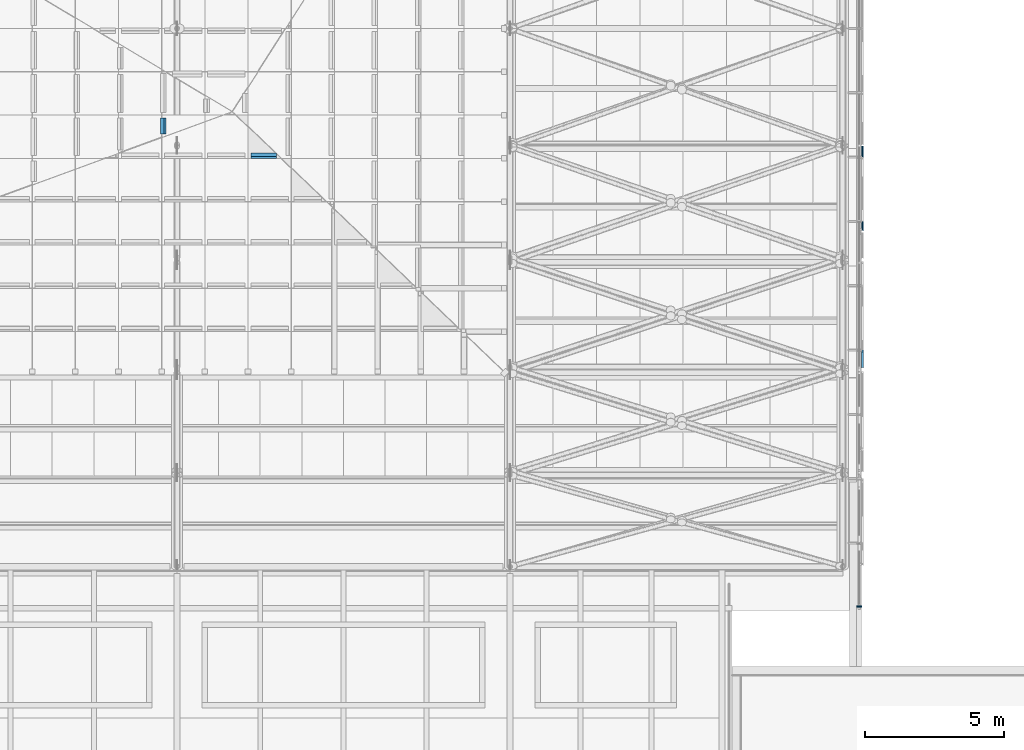
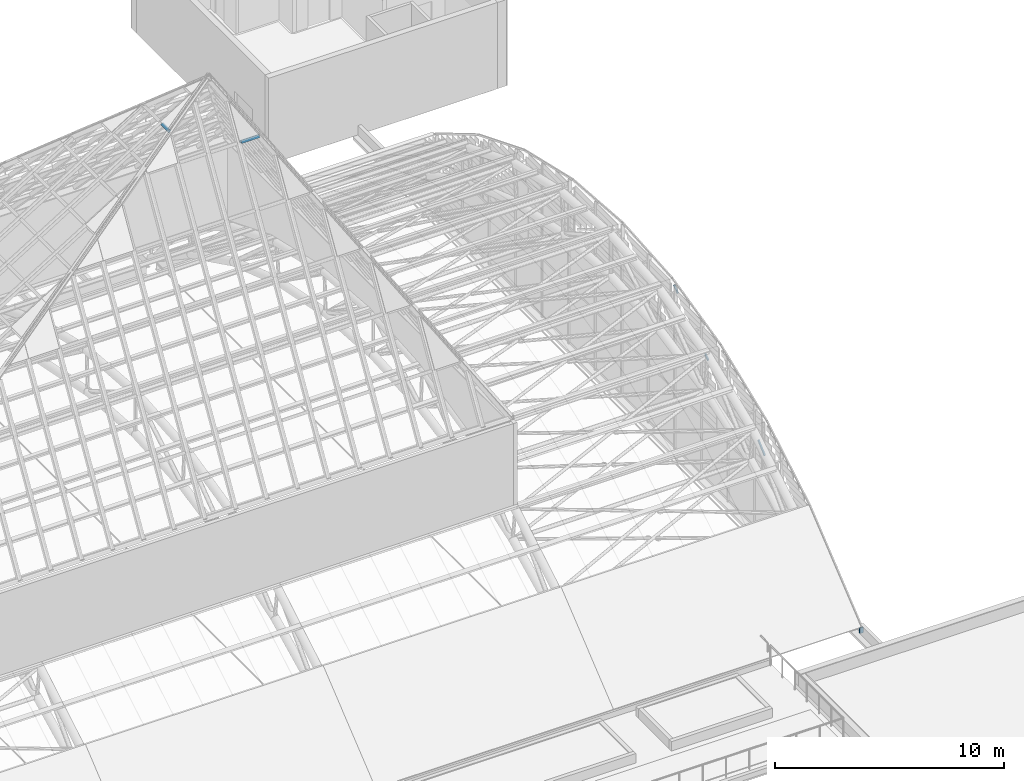
# One storey, part 48 of 110: 6 members, 1 element without a shape of its own.
"""IFC4 building model written with IfcOpenShell, lengths in metres."""

from ifc_helpers import new_model, si_unit, direction, frame, origin, origin_2d, place, context, subcontext, project, spatial, rectangle, hollow_rectangle, extrude, material, layer, layer_set, material_profile, profile_set, type_object, element, aggregate, save


model = new_model("IFC4")

# Units and contexts
model_context = context("Model", 3, precision=1e-05, world=origin(), true_north=direction((0.0, 1.0)))
body_context = subcontext(model_context, "Body", "Model", "MODEL_VIEW")
ifc_project = project(units=[si_unit("LENGTHUNIT", "METRE"), si_unit("AREAUNIT", "SQUARE_METRE"), si_unit("VOLUMEUNIT", "CUBIC_METRE"), si_unit("PLANEANGLEUNIT", "RADIAN"), si_unit("MASSUNIT", "GRAM", prefix="KILO")], contexts=[model_context])

# Site, building, storey
site_placement = place(None, origin())
site = spatial("IfcSite", under=ifc_project, at=site_placement, CompositionType="ELEMENT")
building_placement = place(site_placement, origin())
building = spatial("IfcBuilding", under=site, at=building_placement, Name="Windward Yard Aquatics Centre", CompositionType="ELEMENT")
storey_placement = place(building_placement, frame((0.0, 0.0, 22.60009765625)))
storey = spatial("IfcBuildingStorey", under=building, at=storey_placement, Name="L05", CompositionType="ELEMENT", Elevation=22.60009765625)

# Curtain wall, members
ifc_material_1 = material(Name="Glass and aluminium curtain wall", Category="aluminium")
ifc_layer = layer(ifc_material_1, 0.179931640625)
ifc_layer_set = layer_set([ifc_layer], Name="H gable glazing system double glazed 8+16+8")
curtain_wall_type = type_object("IfcCurtainWallType", Name="H gable glazing system double glazed 8+16+8", PredefinedType="NOTDEFINED", material=ifc_layer_set)
curtain_wall_placement = place(storey_placement, origin())
curtain_wall = element("IfcCurtainWall", 1, at=curtain_wall_placement, inside=storey, type_object=curtain_wall_type, Name="Gable glazing E", PredefinedType="NOTDEFINED")
ifc_material_2 = material(Name="Aluminium 6063-T6 anodised", Category="aluminium")
ifc_material_profile_1 = material_profile(ifc_material_2, rectangle(XDim=0.06494140625, YDim=0.179931640625, at=origin_2d()), Name="H CW mullion 65x180")
ifc_profile_set_1 = profile_set([ifc_material_profile_1], Name="Aluminium 6063-T6 anodised")
member_type_1 = type_object("IfcMemberType", Name="H CW mullion 65x180", PredefinedType="MULLION", material=ifc_profile_set_1)
member_1_placement = place(storey_placement, frame((144.590087890625, 40.159423828125, 0.0), z_axis=(0.0, 0.0, 1.0), x_axis=(0.0, 1.0, 0.0)))
member_1 = element("IfcMember", 2, at=member_1_placement, type_object=member_type_1, Name="Gable mullion 1", PredefinedType="MULLION", context=body_context, shape_type="SweptSolid", body=[
    extrude(rectangle(XDim=0.06494140625, YDim=0.179931640625, at=origin_2d()), origin(), (0.0, 0.0, 1.0), 0.289794921875),
])
ifc_material_profile_2 = material_profile(ifc_material_2, rectangle(XDim=0.06494140625, YDim=0.10009765625, at=origin_2d()), Name="H CW transom 65x100")
ifc_profile_set_2 = profile_set([ifc_material_profile_2], Name="Aluminium 6063-T6 anodised")
member_type_2 = type_object("IfcMemberType", Name="H CW transom 65x100", PredefinedType="USERDEFINED", material=ifc_profile_set_2)
member_2_placement = place(storey_placement, frame((144.71240234375, 48.802734375, 4.16650390625), z_axis=(0.0, 0.748560831862, 0.663066121139), x_axis=(-1.0, 0.0, 0.0)))
member_2 = element("IfcMember", 3, at=member_2_placement, type_object=member_type_2, Name="Gable cover strip 3.1", ObjectType="COVER STRIP", PredefinedType="USERDEFINED", context=body_context, shape_type="SweptSolid", body=[
    extrude(rectangle(XDim=0.06494140625, YDim=0.10009765625, at=origin_2d()), origin(), (0.0, 0.0, 1.0), 0.759521484375),
])
member_3_placement = place(storey_placement, frame((144.71240234375, 53.74658203125, 6.25), z_axis=(0.0, 0.802672555451, 0.596419960033), x_axis=(-1.0, 0.0, 0.0)))
member_3 = element("IfcMember", 4, at=member_3_placement, type_object=member_type_2, Name="Gable cover strip 4.2", ObjectType="COVER STRIP", PredefinedType="USERDEFINED", context=body_context, shape_type="SweptSolid", body=[
    extrude(rectangle(XDim=0.06494140625, YDim=0.10009765625, at=origin_2d()), origin(), (0.0, 0.0, 1.0), 0.327880859375),
])
member_4_placement = place(storey_placement, frame((144.71240234375, 56.39404296875, 8.21875), z_axis=(0.0, 0.802362534733, 0.596836965055), x_axis=(-1.0, 0.0, 0.0)))
member_4 = element("IfcMember", 5, at=member_4_placement, type_object=member_type_2, Name="Gable cover strip 4.4", ObjectType="COVER STRIP", PredefinedType="USERDEFINED", context=body_context, shape_type="SweptSolid", body=[
    extrude(rectangle(XDim=0.06494140625, YDim=0.10009765625, at=origin_2d()), origin(), (0.0, 0.0, 1.0), 0.42041015625),
])
aggregate(curtain_wall, [member_1, member_2, member_3, member_4])

# Members
ifc_material_3 = material(Name="Steel ASTM A500 Gr C", Category="steel")
ifc_material_profile_3 = material_profile(ifc_material_3, hollow_rectangle(XDim=0.15234375, YDim=0.15234375, WallThickness=0.009521484375, InnerFilletRadius=0.004638671875, OuterFilletRadius=0.01416015625, at=origin_2d()), Name="HSS152X152X9.5")
ifc_profile_set_3 = profile_set([ifc_material_profile_3], Name="Steel ASTM A500 Gr C")
member_type_3 = type_object("IfcMemberType", Name="H lantern purlin HSS152X152X9.5", PredefinedType="PURLIN", material=ifc_profile_set_3)
member_5_placement = place(storey_placement, frame((123.580810546875, 56.4130859375, 23.998291015625), z_axis=(-1.0, 0.0, 0.0), x_axis=(0.0, -0.51011965155, -0.860103447908)))
element("IfcMember", 6, at=member_5_placement, inside=storey, type_object=member_type_3, Name="H.LN.U.01.05.01", PredefinedType="PURLIN", context=body_context, shape_type="SweptSolid", body=[
    extrude(hollow_rectangle(XDim=0.15234375, YDim=0.15234375, WallThickness=0.009521484375, InnerFilletRadius=0.004638671875, OuterFilletRadius=0.01416015625, at=origin_2d()), origin(), (0.0, 0.0, 1.0), 0.918212890625),
])
member_6_placement = place(storey_placement, frame((119.5068359375, 57.1943359375, 25.22216796875), z_axis=(0.0, 1.0, 0.0), x_axis=(-0.850755160219, 0.0, -0.525562229771)))
element("IfcMember", 7, at=member_6_placement, inside=storey, type_object=member_type_3, Name="H.LN.U.04.15.01", PredefinedType="PURLIN", context=body_context, shape_type="SweptSolid", body=[
    extrude(hollow_rectangle(XDim=0.15234375, YDim=0.15234375, WallThickness=0.009521484375, InnerFilletRadius=0.004638671875, OuterFilletRadius=0.01416015625, at=origin_2d()), origin(), (0.0, 0.0, 1.0), 0.58154296875),
])

save(model, "model.ifc")
